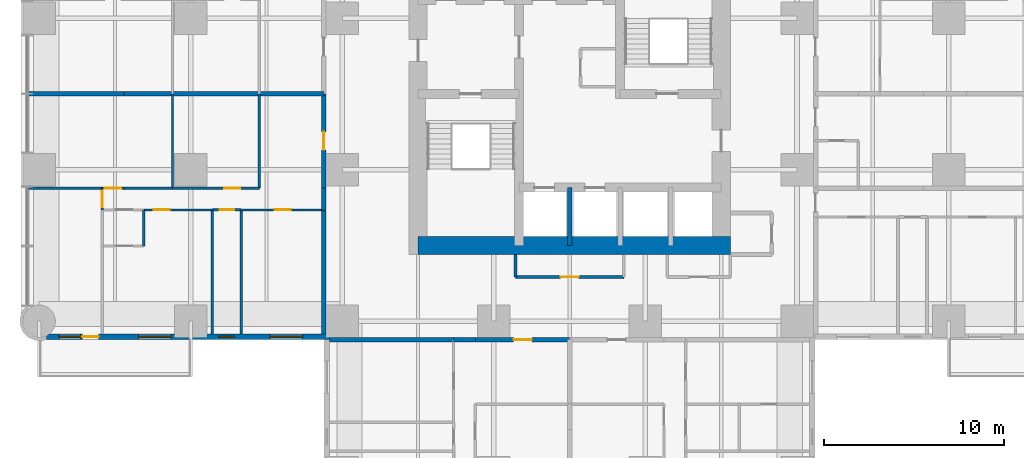
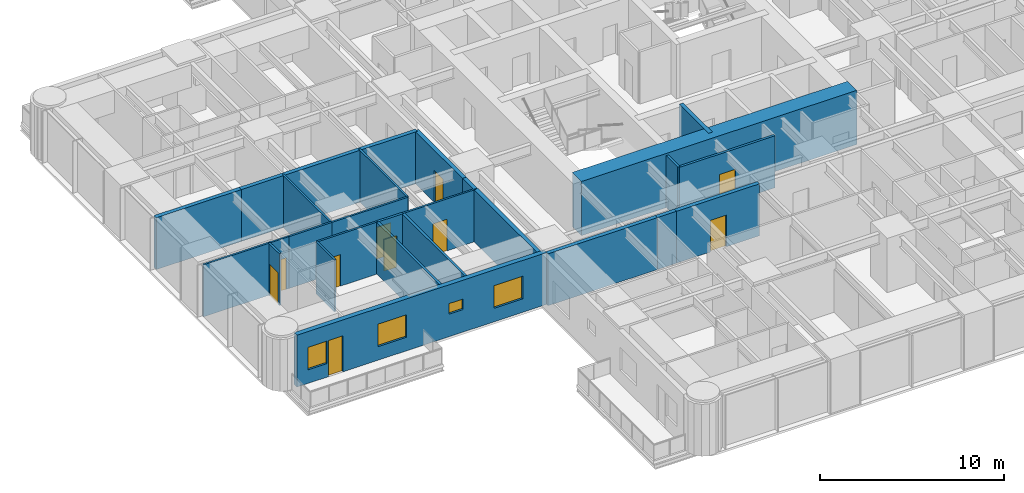
# One storey, part 8 of 17: 28 walls, 10 doors, 4 windows, 14 openings.
"""IFC4 building model written with IfcOpenShell, lengths in metres."""

from ifc_helpers import new_model, si_unit, direction, frame, frame_2d, origin, place, context, subcontext, project, spatial, rectangle, extrude, material, layer, layer_set, type_object, element, fill, save


model = new_model("IFC4")

# Units and contexts
model_context = context("Model", 3, precision=1e-05, world=origin(), true_north=direction((0.0, 1.0)))
body_context = subcontext(model_context, "Body", "Model", "MODEL_VIEW")
ifc_project = project(units=[si_unit("LENGTHUNIT", "METRE"), si_unit("AREAUNIT", "SQUARE_METRE"), si_unit("VOLUMEUNIT", "CUBIC_METRE"), si_unit("PLANEANGLEUNIT", "RADIAN"), si_unit("MASSUNIT", "GRAM", prefix="KILO")], contexts=[model_context])

# Site, building, storey
site_placement = place(None, origin())
site = spatial("IfcSite", under=ifc_project, at=site_placement, CompositionType="ELEMENT")
building_placement = place(site_placement, origin())
building = spatial("IfcBuilding", under=site, at=building_placement, Name="Torre Alcanfor", CompositionType="ELEMENT")
storey_placement = place(building_placement, frame((0.0, 0.0, 92.10009765625)))
storey = spatial("IfcBuildingStorey", under=building, at=storey_placement, Name="L23", CompositionType="ELEMENT", Elevation=92.10009765625)

# Wall, opening, door
ifc_material_1 = material(Name="Concrete block masonry, hollow blocks NMX-C-404 9 MPa", Category="masonry")
ifc_layer_1 = layer(ifc_material_1, 0.25)
ifc_layer_set_1 = layer_set([ifc_layer_1], Name="Apartment entrance wall 250 EI 60")
wall_type_1 = type_object("IfcWallType", Name="Apartment entrance wall 250 EI 60", PredefinedType="PARTITIONING", material=ifc_layer_set_1)
wall_1_placement = place(storey_placement, frame((29.39990234375, 15.77490234375, 0.0), z_axis=(0.0, 0.0, 1.0), x_axis=(-1.0, 0.0, 0.0)))
wall_1 = element("IfcWall", 1, at=wall_1_placement, inside=storey, type_object=wall_type_1, Name="Partition L23-CORR / L23-S2-ZAG", PredefinedType="PARTITIONING", context=body_context, shape_type="SweptSolid", body=[
    extrude(rectangle(XDim=5.22900390625, YDim=0.25, at=frame_2d((2.614501953125, 0.0))), origin(), (0.0, 0.0, 1.0), 3.449951171875),
])
opening_1_placement = place(wall_1_placement, frame((2.10009765625, 0.0, 0.0)))
opening_1 = element("IfcOpeningElement", 2, at=opening_1_placement, cuts=wall_1, Name="Opening D-A1", PredefinedType="OPENING", context=body_context, shape_type="SweptSolid", body=[
    extrude(rectangle(XDim=1.0, YDim=2.10009765625, at=frame_2d((0.5, 1.050048828125))), frame((0.0, 0.135009765625, 0.0), z_axis=(0.0, -1.0, 0.0), x_axis=(1.0, 0.0, 0.0)), (0.0, 0.0, 1.0), 0.27001953125),
])
ifc_material_2 = material(Name="Galvanised steel sheet ASTM A653", Category="steel")
door_type_1 = type_object("IfcDoorType", Name="Apartment entrance door FD60 1000x2100", OperationType="SINGLE_SWING_LEFT", PredefinedType="DOOR", material=ifc_material_2)
door_1_placement = place(opening_1_placement, origin())
door_1 = element("IfcDoor", 3, at=door_1_placement, inside=storey, type_object=door_type_1, Name="Apartment entrance L23-S2", OperationType="SINGLE_SWING_LEFT", OverallHeight=2.10009765625, OverallWidth=1.0, PredefinedType="DOOR", context=body_context, shape_type="SweptSolid", body=[
    extrude(rectangle(XDim=1.0, YDim=2.10009765625, at=frame_2d((0.5, 1.050048828125))), frame((0.0, 0.02490234375, 0.0), z_axis=(0.0, -1.0, 0.0), x_axis=(1.0, 0.0, 0.0)), (0.0, 0.0, 1.0), 0.050048828125),
])
fill(opening_1, door_1)

# Walls
wall_2_placement = place(storey_placement, frame((24.1708984375, 15.77490234375, 0.0), z_axis=(0.0, 0.0, 1.0), x_axis=(-1.0, 0.0, 0.0)))
element("IfcWall", 4, at=wall_2_placement, inside=storey, type_object=wall_type_1, Name="Partition L23-CORR / L23-S2-HALL", PredefinedType="PARTITIONING", context=body_context, shape_type="SweptSolid", body=[
    extrude(rectangle(XDim=1.199951171875, YDim=0.25, at=frame_2d((0.60009765625, 0.0))), origin(), (0.0, 0.0, 1.0), 3.449951171875),
])
wall_3_placement = place(storey_placement, frame((22.970947265625, 15.77490234375, 0.0), z_axis=(0.0, 0.0, 1.0), x_axis=(-1.0, 0.0, 0.0)))
element("IfcWall", 5, at=wall_3_placement, inside=storey, type_object=wall_type_1, Name="Partition L23-CORR / L23-S2-BED2", PredefinedType="PARTITIONING", context=body_context, shape_type="SweptSolid", body=[
    extrude(rectangle(XDim=6.870849609375, YDim=0.25, at=frame_2d((3.435546875, 0.0))), origin(), (0.0, 0.0, 1.0), 3.449951171875),
])

# Wall, opening, door
wall_4_placement = place(storey_placement, frame((15.77490234375, 24.1708984375, 0.0), z_axis=(0.0, 0.0, 1.0), x_axis=(0.0, 1.0, 0.0)))
wall_4 = element("IfcWall", 6, at=wall_4_placement, inside=storey, type_object=wall_type_1, Name="Partition L23-CORR / L23-W1-ZAG", PredefinedType="PARTITIONING", context=body_context, shape_type="SweptSolid", body=[
    extrude(rectangle(XDim=5.22900390625, YDim=0.25, at=frame_2d((2.614501953125, 0.0))), origin(), (0.0, 0.0, 1.0), 3.449951171875),
])
opening_2_placement = place(wall_4_placement, frame((2.12890625, 0.0, 0.0)))
opening_2 = element("IfcOpeningElement", 7, at=opening_2_placement, cuts=wall_4, Name="Opening D-A1", PredefinedType="OPENING", context=body_context, shape_type="SweptSolid", body=[
    extrude(rectangle(XDim=1.0, YDim=2.10009765625, at=frame_2d((0.5, 1.050048828125))), frame((0.0, 0.135009765625, 0.0), z_axis=(0.0, -1.0, 0.0), x_axis=(1.0, 0.0, 0.0)), (0.0, 0.0, 1.0), 0.27001953125),
])
door_2_placement = place(opening_2_placement, origin())
door_2 = element("IfcDoor", 8, at=door_2_placement, inside=storey, type_object=door_type_1, Name="Apartment entrance L23-W1", OperationType="SINGLE_SWING_RIGHT", OverallHeight=2.10009765625, OverallWidth=1.0, PredefinedType="DOOR", context=body_context, shape_type="SweptSolid", body=[
    extrude(rectangle(XDim=1.0, YDim=2.10009765625, at=frame_2d((0.5, 1.050048828125))), frame((0.0, 0.02490234375, 0.0), z_axis=(0.0, -1.0, 0.0), x_axis=(1.0, 0.0, 0.0)), (0.0, 0.0, 1.0), 0.050048828125),
])
fill(opening_2, door_2)

# Walls
wall_5_placement = place(storey_placement, frame((15.77490234375, 22.970947265625, 0.0), z_axis=(0.0, 0.0, 1.0), x_axis=(0.0, 1.0, 0.0)))
element("IfcWall", 9, at=wall_5_placement, inside=storey, type_object=wall_type_1, Name="Partition L23-CORR / L23-W1-HALL", PredefinedType="PARTITIONING", context=body_context, shape_type="SweptSolid", body=[
    extrude(rectangle(XDim=1.199951171875, YDim=0.25, at=frame_2d((0.60009765625, 0.0))), origin(), (0.0, 0.0, 1.0), 3.449951171875),
])
wall_6_placement = place(storey_placement, frame((15.77490234375, 16.10009765625, 0.0), z_axis=(0.0, 0.0, 1.0), x_axis=(0.0, 1.0, 0.0)))
element("IfcWall", 10, at=wall_6_placement, inside=storey, type_object=wall_type_1, Name="Partition L23-CORR / L23-W1-BED2", PredefinedType="PARTITIONING", context=body_context, shape_type="SweptSolid", body=[
    extrude(rectangle(XDim=6.870849609375, YDim=0.25, at=frame_2d((3.435546875, 0.0))), origin(), (0.0, 0.0, 1.0), 3.449951171875),
])
ifc_material_3 = material(Name="Gypsum board on steel studs", Category="steel")
ifc_layer_2 = layer(ifc_material_3, 0.1201171875)
ifc_layer_set_2 = layer_set([ifc_layer_2], Name="Apartment partition 120")
wall_type_2 = type_object("IfcWallType", Name="Apartment partition 120", PredefinedType="PARTITIONING", material=ifc_layer_set_2)
for number, where, z_axis, x_axis, name in (
    (11, (12.199951171875, 29.39990234375, 0.0), (0.0, 0.0, 1.0), (0.0, -1.0, 0.0), "Partition L23-W1-ZAG / L23-W1-FAMILY"),
    (12, (7.39990234375, 29.39990234375, 0.0), (0.0, 0.0, 1.0), (0.0, -1.0, 0.0), "Partition L23-W1-FAMILY / L23-W1-KITCHEN"),
):
    element("IfcWall", number, at=place(storey_placement, frame(where, z_axis=z_axis, x_axis=x_axis)), inside=storey, type_object=wall_type_2, Name=name, PredefinedType="PARTITIONING", context=body_context, shape_type="SweptSolid", body=[
        extrude(rectangle(XDim=5.22900390625, YDim=0.1201171875, at=frame_2d((2.614501953125, 0.0))), origin(), (0.0, 0.0, 1.0), 3.449951171875),
    ])

# Wall, opening, door
wall_7_placement = place(storey_placement, frame((7.39990234375, 24.1708984375, 0.0), z_axis=(0.0, 0.0, 1.0), x_axis=(1.0, 0.0, 0.0)))
wall_7 = element("IfcWall", 13, at=wall_7_placement, inside=storey, type_object=wall_type_2, Name="Partition L23-W1-FAMILY / L23-W1-HALL", PredefinedType="PARTITIONING", context=body_context, shape_type="SweptSolid", body=[
    extrude(rectangle(XDim=4.800048828125, YDim=0.1201171875, at=frame_2d((2.39990234375, 0.0))), origin(), (0.0, 0.0, 1.0), 3.449951171875),
])
opening_3_placement = place(wall_7_placement, frame((2.85009765625, 0.0, 0.0)))
opening_3 = element("IfcOpeningElement", 14, at=opening_3_placement, cuts=wall_7, Name="Opening D-R1", PredefinedType="OPENING", context=body_context, shape_type="SweptSolid", body=[
    extrude(rectangle(XDim=0.89990234375, YDim=2.10009765625, at=frame_2d((0.449951171875, 1.050048828125))), frame((0.0, 0.070068359375, 0.0), z_axis=(0.0, -1.0, 0.0), x_axis=(1.0, 0.0, 0.0)), (0.0, 0.0, 1.0), 0.14013671875),
])
ifc_material_4 = material(Name="Timber", Category="wood")
door_type_2 = type_object("IfcDoorType", Name="Internal door 900x2100", OperationType="SINGLE_SWING_LEFT", PredefinedType="DOOR", material=ifc_material_4)
door_3_placement = place(opening_3_placement, origin())
door_3 = element("IfcDoor", 15, at=door_3_placement, inside=storey, type_object=door_type_2, Name="Door L23-W1 family", OperationType="SINGLE_SWING_RIGHT", OverallHeight=2.10009765625, OverallWidth=0.89990234375, PredefinedType="DOOR", context=body_context, shape_type="SweptSolid", body=[
    extrude(rectangle(XDim=0.89990234375, YDim=2.10009765625, at=frame_2d((0.449951171875, 1.050048828125))), frame((0.0, 0.02490234375, 0.0), z_axis=(0.0, -1.0, 0.0), x_axis=(1.0, 0.0, 0.0)), (0.0, 0.0, 1.0), 0.050048828125),
])
fill(opening_3, door_3)

# Wall
wall_8_placement = place(storey_placement, frame((4.699951171875, 24.1708984375, 0.0), z_axis=(0.0, 0.0, 1.0), x_axis=(1.0, 0.0, 0.0)))
element("IfcWall", 16, at=wall_8_placement, inside=storey, type_object=wall_type_2, Name="Partition L23-W1-KITCHEN / L23-W1-HALL", PredefinedType="PARTITIONING", context=body_context, shape_type="SweptSolid", body=[
    extrude(rectangle(XDim=2.699951171875, YDim=0.1201171875, at=frame_2d((1.35009765625, 0.0))), origin(), (0.0, 0.0, 1.0), 3.449951171875),
])

# Wall, opening, door
wall_9_placement = place(storey_placement, frame((3.5, 24.1708984375, 0.0), z_axis=(0.0, 0.0, 1.0), x_axis=(1.0, 0.0, 0.0)))
wall_9 = element("IfcWall", 17, at=wall_9_placement, inside=storey, type_object=wall_type_2, Name="Partition L23-W1-LIVING / L23-W1-HALL", PredefinedType="PARTITIONING", context=body_context, shape_type="SweptSolid", body=[
    extrude(rectangle(XDim=1.199951171875, YDim=0.1201171875, at=frame_2d((0.60009765625, 0.0))), origin(), (0.0, 0.0, 1.0), 3.449951171875),
])
opening_4_placement = place(wall_9_placement, frame((0.14990234375, 0.0, 0.0)))
opening_4 = element("IfcOpeningElement", 18, at=opening_4_placement, cuts=wall_9, Name="Opening D-R1", PredefinedType="OPENING", context=body_context, shape_type="SweptSolid", body=[
    extrude(rectangle(XDim=0.89990234375, YDim=2.10009765625, at=frame_2d((0.449951171875, 1.050048828125))), frame((0.0, 0.070068359375, 0.0), z_axis=(0.0, -1.0, 0.0), x_axis=(1.0, 0.0, 0.0)), (0.0, 0.0, 1.0), 0.14013671875),
])
door_4_placement = place(opening_4_placement, origin())
door_4 = element("IfcDoor", 19, at=door_4_placement, inside=storey, type_object=door_type_2, Name="Door L23-W1 living", OperationType="SINGLE_SWING_RIGHT", OverallHeight=2.10009765625, OverallWidth=0.89990234375, PredefinedType="DOOR", context=body_context, shape_type="SweptSolid", body=[
    extrude(rectangle(XDim=0.89990234375, YDim=2.10009765625, at=frame_2d((0.449951171875, 1.050048828125))), frame((0.0, 0.02490234375, 0.0), z_axis=(0.0, -1.0, 0.0), x_axis=(1.0, 0.0, 0.0)), (0.0, 0.0, 1.0), 0.050048828125),
])
fill(opening_4, door_4)

# Wall
wall_10_placement = place(storey_placement, frame((-0.64990234375, 24.1708984375, 0.0), z_axis=(0.0, 0.0, 1.0), x_axis=(1.0, 0.0, 0.0)))
element("IfcWall", 20, at=wall_10_placement, inside=storey, type_object=wall_type_2, Name="Partition L23-W1-LIVING / L23-W1-WGARD", PredefinedType="PARTITIONING", context=body_context, shape_type="SweptSolid", body=[
    extrude(rectangle(XDim=4.14990234375, YDim=0.1201171875, at=frame_2d((2.074951171875, 0.0))), origin(), (0.0, 0.0, 1.0), 3.449951171875),
])

# Wall, opening, door
wall_11_placement = place(storey_placement, frame((11.199951171875, 22.970947265625, 0.0), z_axis=(0.0, 0.0, 1.0), x_axis=(1.0, 0.0, 0.0)))
wall_11 = element("IfcWall", 21, at=wall_11_placement, inside=storey, type_object=wall_type_2, Name="Partition L23-W1-HALL / L23-W1-BED2", PredefinedType="PARTITIONING", context=body_context, shape_type="SweptSolid", body=[
    extrude(rectangle(XDim=4.574951171875, YDim=0.1201171875, at=frame_2d((2.28759765625, 0.0))), origin(), (0.0, 0.0, 1.0), 3.449951171875),
])
opening_5_placement = place(wall_11_placement, frame((1.85009765625, 0.0, 0.0)))
opening_5 = element("IfcOpeningElement", 22, at=opening_5_placement, cuts=wall_11, Name="Opening D-R1", PredefinedType="OPENING", context=body_context, shape_type="SweptSolid", body=[
    extrude(rectangle(XDim=0.89990234375, YDim=2.10009765625, at=frame_2d((0.449951171875, 1.050048828125))), frame((0.0, 0.070068359375, 0.0), z_axis=(0.0, -1.0, 0.0), x_axis=(1.0, 0.0, 0.0)), (0.0, 0.0, 1.0), 0.14013671875),
])
door_5_placement = place(opening_5_placement, frame((0.89990234375, 0.0, 0.0), z_axis=(0.0, 0.0, 1.0), x_axis=(-1.0, 0.0, 0.0)))
door_5 = element("IfcDoor", 23, at=door_5_placement, inside=storey, type_object=door_type_2, Name="Door L23-W1 bed2", OperationType="SINGLE_SWING_LEFT", OverallHeight=2.10009765625, OverallWidth=0.89990234375, PredefinedType="DOOR", context=body_context, shape_type="SweptSolid", body=[
    extrude(rectangle(XDim=0.89990234375, YDim=2.10009765625, at=frame_2d((0.449951171875, 1.050048828125))), frame((0.0, 0.025146484375, 0.0), z_axis=(0.0, -1.0, 0.0), x_axis=(1.0, 0.0, 0.0)), (0.0, 0.0, 1.0), 0.050048828125),
])
fill(opening_5, door_5)

wall_12_placement = place(storey_placement, frame((5.800048828125, 22.970947265625, 0.0), z_axis=(0.0, 0.0, 1.0), x_axis=(1.0, 0.0, 0.0)))
wall_12 = element("IfcWall", 24, at=wall_12_placement, inside=storey, type_object=wall_type_2, Name="Partition L23-W1-HALL / L23-W1-MASTER", PredefinedType="PARTITIONING", context=body_context, shape_type="SweptSolid", body=[
    extrude(rectangle(XDim=3.800048828125, YDim=0.1201171875, at=frame_2d((1.89990234375, 0.0))), origin(), (0.0, 0.0, 1.0), 3.449951171875),
])
opening_6_placement = place(wall_12_placement, frame((0.550048828125, 0.0, 0.0)))
opening_6 = element("IfcOpeningElement", 25, at=opening_6_placement, cuts=wall_12, Name="Opening D-R1", PredefinedType="OPENING", context=body_context, shape_type="SweptSolid", body=[
    extrude(rectangle(XDim=0.89990234375, YDim=2.10009765625, at=frame_2d((0.449951171875, 1.050048828125))), frame((0.0, 0.070068359375, 0.0), z_axis=(0.0, -1.0, 0.0), x_axis=(1.0, 0.0, 0.0)), (0.0, 0.0, 1.0), 0.14013671875),
])
door_6_placement = place(opening_6_placement, frame((0.89990234375, 0.0, 0.0), z_axis=(0.0, 0.0, 1.0), x_axis=(-1.0, 0.0, 0.0)))
door_6 = element("IfcDoor", 26, at=door_6_placement, inside=storey, type_object=door_type_2, Name="Door L23-W1 master", OperationType="SINGLE_SWING_RIGHT", OverallHeight=2.10009765625, OverallWidth=0.89990234375, PredefinedType="DOOR", context=body_context, shape_type="SweptSolid", body=[
    extrude(rectangle(XDim=0.89990234375, YDim=2.10009765625, at=frame_2d((0.449951171875, 1.050048828125))), frame((0.0, 0.025146484375, 0.0), z_axis=(0.0, -1.0, 0.0), x_axis=(1.0, 0.0, 0.0)), (0.0, 0.0, 1.0), 0.050048828125),
])
fill(opening_6, door_6)

wall_13_placement = place(storey_placement, frame((3.5, 24.1708984375, 0.0), z_axis=(0.0, 0.0, 1.0), x_axis=(0.0, -1.0, 0.0)))
wall_13 = element("IfcWall", 27, at=wall_13_placement, inside=storey, type_object=wall_type_2, Name="Partition L23-W1-HALL / L23-W1-WGARD", PredefinedType="PARTITIONING", context=body_context, shape_type="SweptSolid", body=[
    extrude(rectangle(XDim=1.199951171875, YDim=0.1201171875, at=frame_2d((0.60009765625, 0.0))), origin(), (0.0, 0.0, 1.0), 3.449951171875),
])
opening_7_placement = place(wall_13_placement, frame((0.15087890625, 0.0, 0.0)))
opening_7 = element("IfcOpeningElement", 28, at=opening_7_placement, cuts=wall_13, Name="Opening D-R1", PredefinedType="OPENING", context=body_context, shape_type="SweptSolid", body=[
    extrude(rectangle(XDim=0.89990234375, YDim=2.10009765625, at=frame_2d((0.449951171875, 1.050048828125))), frame((0.0, 0.070068359375, 0.0), z_axis=(0.0, -1.0, 0.0), x_axis=(1.0, 0.0, 0.0)), (0.0, 0.0, 1.0), 0.14013671875),
])
door_7_placement = place(opening_7_placement, frame((0.89990234375, 0.0, 0.0), z_axis=(0.0, 0.0, 1.0), x_axis=(-1.0, 0.0, 0.0)))
door_7 = element("IfcDoor", 29, at=door_7_placement, inside=storey, type_object=door_type_2, Name="Door L23-W1 wgard", OperationType="SINGLE_SWING_RIGHT", OverallHeight=2.10009765625, OverallWidth=0.89990234375, PredefinedType="DOOR", context=body_context, shape_type="SweptSolid", body=[
    extrude(rectangle(XDim=0.89990234375, YDim=2.10009765625, at=frame_2d((0.449951171875, 1.050048828125))), frame((0.0, 0.025146484375, 0.0), z_axis=(0.0, -1.0, 0.0), x_axis=(1.0, 0.0, 0.0)), (0.0, 0.0, 1.0), 0.050048828125),
])
fill(opening_7, door_7)

# Walls
wall_14_placement = place(storey_placement, frame((5.800048828125, 20.970947265625, 0.0), z_axis=(0.0, 0.0, 1.0), x_axis=(0.0, 1.0, 0.0)))
element("IfcWall", 30, at=wall_14_placement, inside=storey, type_object=wall_type_2, Name="Partition L23-W1-MASTER / L23-W1-VEST", PredefinedType="PARTITIONING", context=body_context, shape_type="SweptSolid", body=[
    extrude(rectangle(XDim=2.0, YDim=0.1201171875, at=frame_2d((1.0, 0.0))), origin(), (0.0, 0.0, 1.0), 3.449951171875),
])
ifc_material_5 = material(Name="Concrete f'c 70 MPa", Category="concrete")
ifc_layer_3 = layer(ifc_material_5, 0.25)
ifc_layer_set_3 = layer_set([ifc_layer_3], Name="Core shaft wall 250 f'c70")
wall_type_3 = type_object("IfcWallType", Name="Core shaft wall 250 f'c70", PredefinedType="SHEAR", material=ifc_layer_set_3)
wall_15_placement = place(storey_placement, frame((29.39990234375, 21.0, 0.0), z_axis=(0.0, 0.0, 1.0), x_axis=(0.0, 1.0, 0.0)))
element("IfcWall", 31, at=wall_15_placement, inside=storey, type_object=wall_type_3, Name="Core wall X294S L23", PredefinedType="SHEAR", context=body_context, shape_type="SweptSolid", body=[
    extrude(rectangle(XDim=3.199951171875, YDim=0.25, at=frame_2d((1.60009765625, 0.0))), origin(), (0.0, 0.0, 1.0), 3.599853515625),
])
ifc_material_6 = material(Name="Concrete f'c 70 MPa", Category="concrete")
ifc_layer_4 = layer(ifc_material_6, 1.0)
ifc_layer_set_4 = layer_set([ifc_layer_4], Name="Core wall 1000 f'c70")
wall_type_4 = type_object("IfcWallType", Name="Core wall 1000 f'c70", PredefinedType="SHEAR", material=ifc_layer_set_4)
wall_16_placement = place(storey_placement, frame((21.0, 21.0, 0.0), z_axis=(0.0, 0.0, 1.0), x_axis=(1.0, 0.0, 0.0)))
element("IfcWall", 32, at=wall_16_placement, inside=storey, type_object=wall_type_4, Name="Core wall OUT-S L23", PredefinedType="SHEAR", context=body_context, shape_type="SweptSolid", body=[
    extrude(rectangle(XDim=17.300048828125, YDim=1.0, at=frame_2d((8.64990234375, 0.0))), origin(), (0.0, 0.0, 1.0), 3.599853515625),
])

# Wall, openings, door, windows
ifc_material_7 = material(Name="Limestone cladding", Category="masonry")
ifc_layer_5 = layer(ifc_material_7, 0.0400390625, Name="Facing")
ifc_material_8 = material(Name="Ventilated air cavity")
ifc_layer_6 = layer(ifc_material_8, 0.02001953125, ventilated=True, Name="Ventilated joint")
ifc_material_9 = material(Name="Mineral wool insulation", Category="insulation")
ifc_layer_7 = layer(ifc_material_9, 0.10009765625, Name="Insulation")
ifc_material_10 = material(Name="Concrete f'c 35 MPa", Category="concrete")
ifc_layer_8 = layer(ifc_material_10, 0.139892578125, Name="Backing")
ifc_layer_set_5 = layer_set([ifc_layer_5, ifc_layer_6, ifc_layer_7, ifc_layer_8], Name="External wall stone-clad 300")
wall_type_5 = type_object("IfcWallType", Name="External wall stone-clad 300", PredefinedType="SOLIDWALL", material=ifc_layer_set_5)
wall_17_placement = place(storey_placement, frame((0.39990234375, 15.949951171875, 0.0), z_axis=(0.0, 0.0, 1.0), x_axis=(1.0, 0.0, 0.0)))
wall_17 = element("IfcWall", 33, at=wall_17_placement, inside=storey, type_object=wall_type_5, Name="External wall L23 3", PredefinedType="SOLIDWALL", context=body_context, shape_type="SweptSolid", body=[
    extrude(rectangle(XDim=15.7001953125, YDim=0.300048828125, at=frame_2d((7.85009765625, 0.0))), origin(), (0.0, 0.0, 1.0), 3.449951171875),
])
opening_8_placement = place(wall_17_placement, frame((12.39990234375, 0.0, 0.89990234375)))
opening_8 = element("IfcOpeningElement", 34, at=opening_8_placement, cuts=wall_17, Name="Opening W2", PredefinedType="OPENING", context=body_context, shape_type="SweptSolid", body=[
    extrude(rectangle(XDim=1.800048828125, YDim=1.5, at=frame_2d((0.89990234375, 0.75))), frame((0.0, 0.159912109375, 0.0), z_axis=(0.0, -1.0, 0.0), x_axis=(1.0, 0.0, 0.0)), (0.0, 0.0, 1.0), 0.320068359375),
])
opening_9_placement = place(wall_17_placement, frame((9.550048828125, 0.0, 1.5)))
opening_9 = element("IfcOpeningElement", 35, at=opening_9_placement, cuts=wall_17, Name="Opening W3", PredefinedType="OPENING", context=body_context, shape_type="SweptSolid", body=[
    extrude(rectangle(XDim=0.89990234375, YDim=0.699951171875, at=frame_2d((0.449951171875, 0.35009765625))), frame((0.0, 0.159912109375, 0.0), z_axis=(0.0, -1.0, 0.0), x_axis=(1.0, 0.0, 0.0)), (0.0, 0.0, 1.0), 0.320068359375),
])
opening_10_placement = place(wall_17_placement, frame((5.10009765625, 0.0, 0.89990234375)))
opening_10 = element("IfcOpeningElement", 36, at=opening_10_placement, cuts=wall_17, Name="Opening W2", PredefinedType="OPENING", context=body_context, shape_type="SweptSolid", body=[
    extrude(rectangle(XDim=1.800048828125, YDim=1.5, at=frame_2d((0.89990234375, 0.75))), frame((0.0, 0.159912109375, 0.0), z_axis=(0.0, -1.0, 0.0), x_axis=(1.0, 0.0, 0.0)), (0.0, 0.0, 1.0), 0.320068359375),
])
opening_11_placement = place(wall_17_placement, frame((2.0, 0.0, 0.0)))
opening_11 = element("IfcOpeningElement", 37, at=opening_11_placement, cuts=wall_17, Name="Opening D-B1", PredefinedType="OPENING", context=body_context, shape_type="SweptSolid", body=[
    extrude(rectangle(XDim=0.89990234375, YDim=2.39990234375, at=frame_2d((0.449951171875, 1.199951171875))), frame((0.0, 0.159912109375, 0.0), z_axis=(0.0, -1.0, 0.0), x_axis=(1.0, 0.0, 0.0)), (0.0, 0.0, 1.0), 0.320068359375),
])
opening_12_placement = place(wall_17_placement, frame((0.699951171875, 0.0, 0.89990234375)))
opening_12 = element("IfcOpeningElement", 38, at=opening_12_placement, cuts=wall_17, Name="Opening W4", PredefinedType="OPENING", context=body_context, shape_type="SweptSolid", body=[
    extrude(rectangle(XDim=1.199951171875, YDim=1.5, at=frame_2d((0.60009765625, 0.75))), frame((0.0, 0.159912109375, 0.0), z_axis=(0.0, -1.0, 0.0), x_axis=(1.0, 0.0, 0.0)), (0.0, 0.0, 1.0), 0.320068359375),
])
ifc_material_11 = material(Name="Aluminium and glass", Category="aluminium")
door_type_3 = type_object("IfcDoorType", Name="Balcony door glazed 900x2400", OperationType="SINGLE_SWING_LEFT", PredefinedType="DOOR", material=ifc_material_11)
door_8_placement = place(opening_11_placement, origin())
door_8 = element("IfcDoor", 39, at=door_8_placement, inside=storey, type_object=door_type_3, Name="Balcony door L23-W1", OperationType="SINGLE_SWING_RIGHT", OverallHeight=2.39990234375, OverallWidth=0.89990234375, PredefinedType="DOOR", context=body_context, shape_type="SweptSolid", body=[
    extrude(rectangle(XDim=0.89990234375, YDim=2.39990234375, at=frame_2d((0.449951171875, 1.199951171875))), frame((0.0, 0.02490234375, 0.0), z_axis=(0.0, -1.0, 0.0), x_axis=(1.0, 0.0, 0.0)), (0.0, 0.0, 1.0), 0.050048828125),
])
fill(opening_11, door_8)
ifc_material_12 = material(Name="Aluminium frame with clear double glazing", Category="aluminium")
window_type_1 = type_object("IfcWindowType", Name="Window bathroom 900x700", PartitioningType="SINGLE_PANEL", PredefinedType="WINDOW", material=ifc_material_12)
window_1_placement = place(opening_9_placement, origin())
window_1 = element("IfcWindow", 40, at=window_1_placement, inside=storey, type_object=window_type_1, Name="Window W3 L23-W1", OverallHeight=0.699951171875, OverallWidth=0.89990234375, PartitioningType="SINGLE_PANEL", PredefinedType="WINDOW", context=body_context, shape_type="SweptSolid", body=[
    extrude(rectangle(XDim=0.89990234375, YDim=0.699951171875, at=frame_2d((0.449951171875, 0.35009765625))), frame((0.0, 0.030029296875, 0.0), z_axis=(0.0, -1.0, 0.0), x_axis=(1.0, 0.0, 0.0)), (0.0, 0.0, 1.0), 0.06005859375),
])
fill(opening_9, window_1)
ifc_material_13 = material(Name="Aluminium frame with clear double glazing", Category="aluminium")
window_type_2 = type_object("IfcWindowType", Name="Window bedroom 1200x1500", PartitioningType="SINGLE_PANEL", PredefinedType="WINDOW", material=ifc_material_13)
window_2_placement = place(opening_12_placement, origin())
window_2 = element("IfcWindow", 41, at=window_2_placement, inside=storey, type_object=window_type_2, Name="Window W4 L23-W1", OverallHeight=1.5, OverallWidth=1.199951171875, PartitioningType="SINGLE_PANEL", PredefinedType="WINDOW", context=body_context, shape_type="SweptSolid", body=[
    extrude(rectangle(XDim=1.199951171875, YDim=1.5, at=frame_2d((0.60009765625, 0.75))), frame((0.0, 0.030029296875, 0.0), z_axis=(0.0, -1.0, 0.0), x_axis=(1.0, 0.0, 0.0)), (0.0, 0.0, 1.0), 0.06005859375),
])
fill(opening_12, window_2)
ifc_material_14 = material(Name="Aluminium frame with clear double glazing", Category="aluminium")
window_type_3 = type_object("IfcWindowType", Name="Window bedroom 1800x1500", PartitioningType="SINGLE_PANEL", PredefinedType="WINDOW", material=ifc_material_14)
window_3_placement = place(opening_8_placement, origin())
window_3 = element("IfcWindow", 42, at=window_3_placement, inside=storey, type_object=window_type_3, Name="Window W2 L23-W1", OverallHeight=1.5, OverallWidth=1.800048828125, PartitioningType="SINGLE_PANEL", PredefinedType="WINDOW", context=body_context, shape_type="SweptSolid", body=[
    extrude(rectangle(XDim=1.800048828125, YDim=1.5, at=frame_2d((0.89990234375, 0.75))), frame((0.0, 0.030029296875, 0.0), z_axis=(0.0, -1.0, 0.0), x_axis=(1.0, 0.0, 0.0)), (0.0, 0.0, 1.0), 0.06005859375),
])
fill(opening_8, window_3)
window_4_placement = place(opening_10_placement, origin())
window_4 = element("IfcWindow", 43, at=window_4_placement, inside=storey, type_object=window_type_3, Name="Window W2 L23-W1", OverallHeight=1.5, OverallWidth=1.800048828125, PartitioningType="SINGLE_PANEL", PredefinedType="WINDOW", context=body_context, shape_type="SweptSolid", body=[
    extrude(rectangle(XDim=1.800048828125, YDim=1.5, at=frame_2d((0.89990234375, 0.75))), frame((0.0, 0.030029296875, 0.0), z_axis=(0.0, -1.0, 0.0), x_axis=(1.0, 0.0, 0.0)), (0.0, 0.0, 1.0), 0.06005859375),
])
fill(opening_10, window_4)

# Walls
ifc_material_15 = material(Name="Concrete block masonry, hollow blocks NMX-C-404 9 MPa", Category="masonry")
ifc_layer_9 = layer(ifc_material_15, 0.25)
ifc_layer_set_6 = layer_set([ifc_layer_9], Name="Party wall 250 EI 60")
wall_type_6 = type_object("IfcWallType", Name="Party wall 250 EI 60", PredefinedType="PARTITIONING", material=ifc_layer_set_6)
wall_18_placement = place(storey_placement, frame((15.77490234375, 29.39990234375, 0.0), z_axis=(0.0, 0.0, 1.0), x_axis=(-1.0, 0.0, 0.0)))
element("IfcWall", 44, at=wall_18_placement, inside=storey, type_object=wall_type_6, Name="Partition L23-W1-ZAG / L23-W2-ZAG", PredefinedType="PARTITIONING", context=body_context, shape_type="SweptSolid", body=[
    extrude(rectangle(XDim=3.574951171875, YDim=0.25, at=frame_2d((1.78759765625, 0.0))), origin(), (0.0, 0.0, 1.0), 3.449951171875),
])
wall_19_placement = place(storey_placement, frame((12.199951171875, 29.39990234375, 0.0), z_axis=(0.0, 0.0, 1.0), x_axis=(-1.0, 0.0, 0.0)))
element("IfcWall", 45, at=wall_19_placement, inside=storey, type_object=wall_type_6, Name="Partition L23-W1-FAMILY / L23-W2-FAMILY", PredefinedType="PARTITIONING", context=body_context, shape_type="SweptSolid", body=[
    extrude(rectangle(XDim=4.800048828125, YDim=0.25, at=frame_2d((2.39990234375, 0.0))), origin(), (0.0, 0.0, 1.0), 3.449951171875),
])
wall_20_placement = place(storey_placement, frame((7.39990234375, 29.39990234375, 0.0), z_axis=(0.0, 0.0, 1.0), x_axis=(-1.0, 0.0, 0.0)))
element("IfcWall", 46, at=wall_20_placement, inside=storey, type_object=wall_type_6, Name="Partition L23-W1-KITCHEN / L23-W2-KITCHEN", PredefinedType="PARTITIONING", context=body_context, shape_type="SweptSolid", body=[
    extrude(rectangle(XDim=2.699951171875, YDim=0.25, at=frame_2d((1.35009765625, 0.0))), origin(), (0.0, 0.0, 1.0), 3.449951171875),
])
wall_21_placement = place(storey_placement, frame((4.699951171875, 29.39990234375, 0.0), z_axis=(0.0, 0.0, 1.0), x_axis=(-1.0, 0.0, 0.0)))
element("IfcWall", 47, at=wall_21_placement, inside=storey, type_object=wall_type_6, Name="Partition L23-W1-LIVING / L23-W2-LIVING", PredefinedType="PARTITIONING", context=body_context, shape_type="SweptSolid", body=[
    extrude(rectangle(XDim=5.349853515625, YDim=0.25, at=frame_2d((2.6748046875, 0.0))), origin(), (0.0, 0.0, 1.0), 3.449951171875),
])
ifc_material_16 = material(Name="Concrete block masonry, hollow blocks NMX-C-404 9 MPa", Category="masonry")
ifc_layer_10 = layer(ifc_material_16, 0.14990234375)
ifc_layer_set_7 = layer_set([ifc_layer_10], Name="Residents' room partition 150")
wall_type_7 = type_object("IfcWallType", Name="Residents' room partition 150", PredefinedType="PARTITIONING", material=ifc_layer_set_7)
wall_22_placement = place(storey_placement, frame((26.39990234375, 20.5, 0.0), z_axis=(0.0, 0.0, 1.0), x_axis=(0.0, -1.0, 0.0)))
element("IfcWall", 48, at=wall_22_placement, inside=storey, type_object=wall_type_7, Name="Partition L23-CORR / L23-G05", PredefinedType="PARTITIONING", context=body_context, shape_type="SweptSolid", body=[
    extrude(rectangle(XDim=1.25, YDim=0.14990234375, at=frame_2d((0.625, 0.0))), origin(), (0.0, 0.0, 1.0), 3.449951171875),
])

# Wall, opening, door
wall_23_placement = place(storey_placement, frame((26.39990234375, 19.25, 0.0), z_axis=(0.0, 0.0, 1.0), x_axis=(1.0, 0.0, 0.0)))
wall_23 = element("IfcWall", 49, at=wall_23_placement, inside=storey, type_object=wall_type_7, Name="Partition L23-CORR / L23-G05", PredefinedType="PARTITIONING", context=body_context, shape_type="SweptSolid", body=[
    extrude(rectangle(XDim=6.0, YDim=0.14990234375, at=frame_2d((3.0, 0.0))), origin(), (0.0, 0.0, 1.0), 3.449951171875),
])
opening_13_placement = place(wall_23_placement, frame((2.5, 0.0, 0.0)))
opening_13 = element("IfcOpeningElement", 50, at=opening_13_placement, cuts=wall_23, Name="Opening D-M1", PredefinedType="OPENING", context=body_context, shape_type="SweptSolid", body=[
    extrude(rectangle(XDim=1.0, YDim=2.10009765625, at=frame_2d((0.5, 1.050048828125))), frame((0.0, 0.0849609375, 0.0), z_axis=(0.0, -1.0, 0.0), x_axis=(1.0, 0.0, 0.0)), (0.0, 0.0, 1.0), 0.169921875),
])
ifc_material_17 = material(Name="Timber", Category="wood")
door_type_4 = type_object("IfcDoorType", Name="Residents' room door 1000x2100", OperationType="SINGLE_SWING_LEFT", PredefinedType="DOOR", material=ifc_material_17)
door_9_placement = place(opening_13_placement, origin())
door_9 = element("IfcDoor", 51, at=door_9_placement, inside=storey, type_object=door_type_4, Name="Door L23-G05 pram and buggy store", OperationType="SINGLE_SWING_LEFT", OverallHeight=2.10009765625, OverallWidth=1.0, PredefinedType="DOOR", context=body_context, shape_type="SweptSolid", body=[
    extrude(rectangle(XDim=1.0, YDim=2.10009765625, at=frame_2d((0.5, 1.050048828125))), frame((0.0, 0.02490234375, 0.0), z_axis=(0.0, -1.0, 0.0), x_axis=(1.0, 0.0, 0.0)), (0.0, 0.0, 1.0), 0.050048828125),
])
fill(opening_13, door_9)

ifc_material_18 = material(Name="Cement board on steel studs", Category="steel")
ifc_layer_11 = layer(ifc_material_18, 0.14990234375)
ifc_layer_set_8 = layer_set([ifc_layer_11], Name="Wet area partition 150")
wall_type_8 = type_object("IfcWallType", Name="Wet area partition 150", PredefinedType="PARTITIONING", material=ifc_layer_set_8)
wall_24_placement = place(storey_placement, frame((9.60009765625, 22.970947265625, 0.0), z_axis=(0.0, 0.0, 1.0), x_axis=(1.0, 0.0, 0.0)))
wall_24 = element("IfcWall", 52, at=wall_24_placement, inside=storey, type_object=wall_type_8, Name="Partition L23-W1-HALL / L23-W1-BATH1", PredefinedType="PARTITIONING", context=body_context, shape_type="SweptSolid", body=[
    extrude(rectangle(XDim=1.599853515625, YDim=0.14990234375, at=frame_2d((0.7998046875, 0.0))), origin(), (0.0, 0.0, 1.0), 3.449951171875),
])
opening_14_placement = place(wall_24_placement, frame((0.39990234375, 0.0, 0.0)))
opening_14 = element("IfcOpeningElement", 53, at=opening_14_placement, cuts=wall_24, Name="Opening D-R2", PredefinedType="OPENING", context=body_context, shape_type="SweptSolid", body=[
    extrude(rectangle(XDim=0.800048828125, YDim=2.10009765625, at=frame_2d((0.39990234375, 1.050048828125))), frame((0.0, 0.0849609375, 0.0), z_axis=(0.0, -1.0, 0.0), x_axis=(1.0, 0.0, 0.0)), (0.0, 0.0, 1.0), 0.169921875),
])
ifc_material_19 = material(Name="Timber", Category="wood")
door_type_5 = type_object("IfcDoorType", Name="Bathroom door 800x2100", OperationType="SINGLE_SWING_LEFT", PredefinedType="DOOR", material=ifc_material_19)
door_10_placement = place(opening_14_placement, frame((0.800048828125, 0.0, 0.0), z_axis=(0.0, 0.0, 1.0), x_axis=(-1.0, 0.0, 0.0)))
door_10 = element("IfcDoor", 54, at=door_10_placement, inside=storey, type_object=door_type_5, Name="Door L23-W1 bath1", OperationType="SINGLE_SWING_RIGHT", OverallHeight=2.10009765625, OverallWidth=0.800048828125, PredefinedType="DOOR", context=body_context, shape_type="SweptSolid", body=[
    extrude(rectangle(XDim=0.800048828125, YDim=2.10009765625, at=frame_2d((0.400146484375, 1.050048828125))), frame((0.0, 0.025146484375, 0.0), z_axis=(0.0, -1.0, 0.0), x_axis=(1.0, 0.0, 0.0)), (0.0, 0.0, 1.0), 0.050048828125),
])
fill(opening_14, door_10)

# Walls
for number, where, z_axis, x_axis, name in (
    (55, (11.199951171875, 22.970947265625, 0.0), (0.0, 0.0, 1.0), (0.0, -1.0, 0.0), "Partition L23-W1-BED2 / L23-W1-BATH1"),
    (56, (9.60009765625, 22.970947265625, 0.0), (0.0, 0.0, 1.0), (0.0, -1.0, 0.0), "Partition L23-W1-BATH1 / L23-W1-MASTER"),
):
    element("IfcWall", number, at=place(storey_placement, frame(where, z_axis=z_axis, x_axis=x_axis)), inside=storey, type_object=wall_type_8, Name=name, PredefinedType="PARTITIONING", context=body_context, shape_type="SweptSolid", body=[
        extrude(rectangle(XDim=6.870849609375, YDim=0.14990234375, at=frame_2d((3.435546875, 0.0))), origin(), (0.0, 0.0, 1.0), 3.449951171875),
    ])

save(model, "model.ifc")
